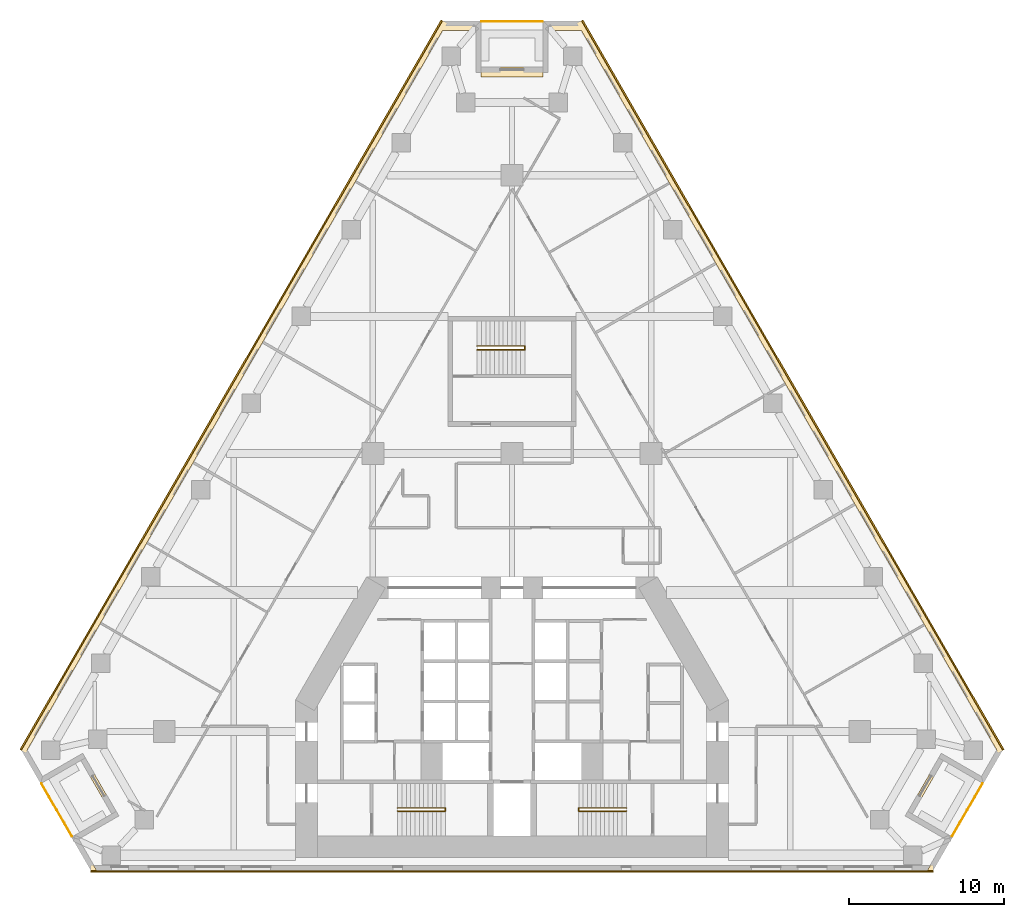
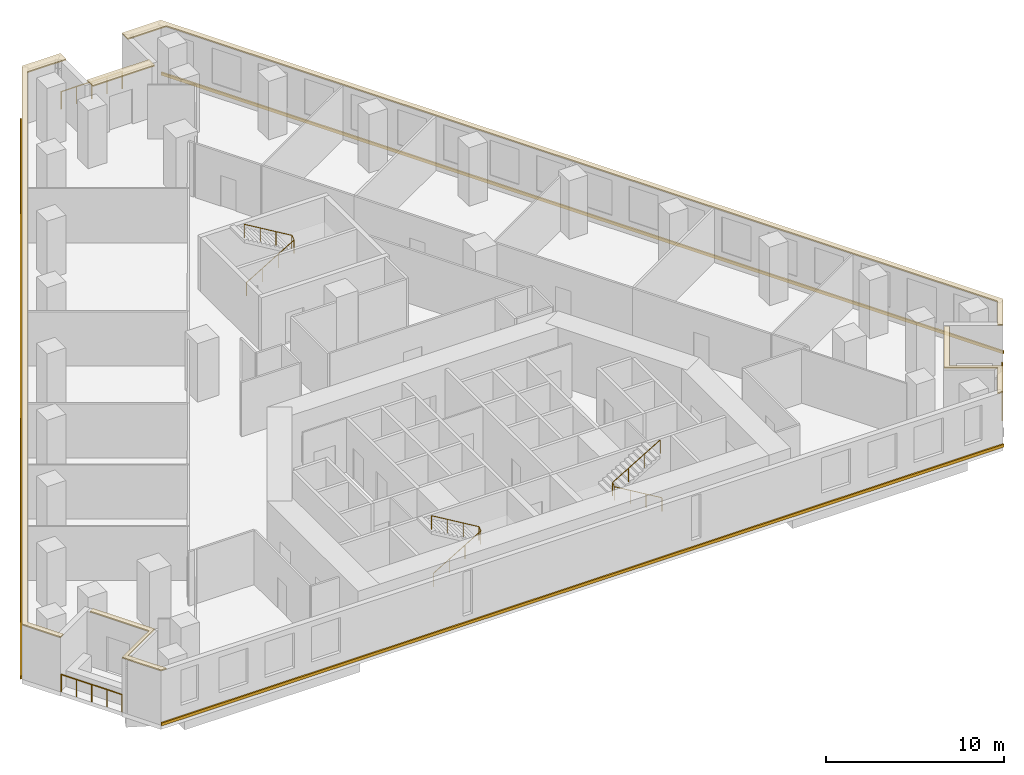
# One storey, part 11 of 11: 8 coverings, 6 railings.
"""IFC4 building model written with IfcOpenShell, lengths in metres."""

from ifc_helpers import new_model, si_unit, direction, frame, origin, origin_2d, place, context, subcontext, project, spatial, polyline, circle, outline, extrude, material, layer, layer_set, type_object, element, save


model = new_model("IFC4")

# Units and contexts
model_context = context("Model", 3, precision=1e-05, world=origin(), true_north=direction((0.0, 1.0)))
body_context = subcontext(model_context, "Body", "Model", "MODEL_VIEW")
ifc_project = project(units=[si_unit("LENGTHUNIT", "METRE"), si_unit("AREAUNIT", "SQUARE_METRE"), si_unit("VOLUMEUNIT", "CUBIC_METRE"), si_unit("PLANEANGLEUNIT", "RADIAN"), si_unit("MASSUNIT", "GRAM", prefix="KILO")], contexts=[model_context])

# Site, building, storey
site_placement = place(None, origin())
site = spatial("IfcSite", under=ifc_project, at=site_placement, CompositionType="ELEMENT")
building_placement = place(site_placement, origin())
building = spatial("IfcBuilding", under=site, at=building_placement, Name="Fogline Exchange Tower", CompositionType="ELEMENT")
storey_placement = place(building_placement, frame((0.0, 0.0, 60.89990234375)))
storey = spatial("IfcBuildingStorey", under=building, at=storey_placement, Name="L12", CompositionType="ELEMENT", Elevation=60.89990234375)

# Coverings
ifc_material_1 = material(Name="Granite", Category="masonry")
ifc_layer = layer(ifc_material_1, 0.080078125)
ifc_layer_set = layer_set([ifc_layer], Name="CP1")
covering_type_1 = type_object("IfcCoveringType", Name="CP1", PredefinedType="USERDEFINED", material=ifc_layer_set)
covering_1_placement = place(storey_placement, frame((0.0, 0.0, 3.7001953125)))
element("IfcCovering", 1, at=covering_1_placement, inside=storey, type_object=covering_type_1, Name="Ledge coping L12", ObjectType="COPING", PredefinedType="USERDEFINED", context=body_context, shape_type="SweptSolid", body=[
    extrude(outline(polyline([(-30.505126953125, 5.629150390625), (-30.225830078125, 5.790283203125), (-31.3828125, 7.794189453125), (-4.5, 54.356689453125), (-2.0, 54.356689453125), (-2.0, 55.001708984375), (-4.5, 55.001708984375), (-31.755126953125, 7.794189453125), (-30.505126953125, 5.629150390625)])), origin(), (0.0, 0.0, 1.0), 0.079833984375),
])
covering_2_placement = place(storey_placement, frame((0.0, 0.0, 3.7001953125)))
element("IfcCovering", 2, at=covering_2_placement, inside=storey, type_object=covering_type_1, Name="Ledge coping L12", ObjectType="COPING", PredefinedType="USERDEFINED", context=body_context, shape_type="SweptSolid", body=[
    extrude(outline(polyline([(-27.255126953125, 0.0), (-26.8828125, 0.0), (-28.1328125, 2.1650390625), (-25.534912109375, 3.6650390625), (-27.534912109375, 7.129150390625), (-27.81396484375, 6.968017578125), (-25.906982421875, 3.6650390625), (-28.505126953125, 2.1650390625), (-27.255126953125, 0.0)])), origin(), (0.0, 0.0, 1.0), 0.079833984375),
])
covering_3_placement = place(storey_placement, frame((0.0, 0.0, 3.7001953125)))
element("IfcCovering", 3, at=covering_3_placement, inside=storey, type_object=covering_type_1, Name="Ledge coping L12", ObjectType="COPING", PredefinedType="USERDEFINED", context=body_context, shape_type="SweptSolid", body=[
    extrude(outline(polyline([(25.906982421875, 3.6650390625), (27.81396484375, 6.968017578125), (27.534912109375, 7.129150390625), (25.534912109375, 3.6650390625), (28.1328125, 2.1650390625), (26.8828125, 0.0), (27.255126953125, 0.0), (28.505126953125, 2.1650390625), (25.906982421875, 3.6650390625)])), origin(), (0.0, 0.0, 1.0), 0.079833984375),
])
covering_4_placement = place(storey_placement, frame((0.0, 0.0, 3.7001953125)))
element("IfcCovering", 4, at=covering_4_placement, inside=storey, type_object=covering_type_1, Name="Ledge coping L12", ObjectType="COPING", PredefinedType="USERDEFINED", context=body_context, shape_type="SweptSolid", body=[
    extrude(outline(polyline([(2.0, 55.001708984375), (2.0, 54.356689453125), (4.5, 54.356689453125), (31.3828125, 7.794189453125), (30.225830078125, 5.790283203125), (30.505126953125, 5.629150390625), (31.755126953125, 7.794189453125), (4.5, 55.001708984375), (2.0, 55.001708984375)])), origin(), (0.0, 0.0, 1.0), 0.079833984375),
])
covering_5_placement = place(storey_placement, frame((0.0, 0.0, 3.7001953125)))
element("IfcCovering", 5, at=covering_5_placement, inside=storey, type_object=covering_type_1, Name="Ledge coping L12", ObjectType="COPING", PredefinedType="USERDEFINED", context=body_context, shape_type="SweptSolid", body=[
    extrude(outline(polyline([(2.0, 52.001708984375), (-2.0, 52.001708984375), (-2.0, 51.356689453125), (2.0, 51.356689453125), (2.0, 52.001708984375)])), origin(), (0.0, 0.0, 1.0), 0.079833984375),
])

# Railings
ifc_material_2 = material(Name="Stainless steel 304", Category="steel")
railing_type_1 = type_object("IfcRailingType", Name="G1", PredefinedType="GUARDRAIL", material=ifc_material_2)
railing_1_placement = place(storey_placement, frame((-30.451416015625, 5.635986328125, 0.0)))
element("IfcRailing", 6, at=railing_1_placement, inside=storey, type_object=railing_type_1, Name="Balcony guard L12 SW", PredefinedType="GUARDRAIL", context=body_context, shape_type="SweptSolid", body=[
    extrude(circle(Radius=0.02392578125, at=origin_2d()), frame((0.0, 0.0, 1.17578125), z_axis=(0.500000102728, -0.866025344474, 0.0), x_axis=(0.866025344474, 0.500000102728, 0.0)), (0.0, 0.0, 1.0), 3.9580078125),
    extrude(circle(Radius=0.02099609375, at=origin_2d()), origin(), (0.0, 0.0, 1.0), 1.15185546875),
    extrude(circle(Radius=0.02099609375, at=origin_2d()), frame((0.49462890625, -0.85693359375, 0.0)), (0.0, 0.0, 1.0), 1.15185546875),
    extrude(circle(Radius=0.02099609375, at=origin_2d()), frame((0.989501953125, -1.7138671875, 0.0)), (0.0, 0.0, 1.0), 1.15185546875),
    extrude(circle(Radius=0.02099609375, at=origin_2d()), frame((1.484375, -2.57080078125, 0.0)), (0.0, 0.0, 1.0), 1.15185546875),
    extrude(circle(Radius=0.02099609375, at=origin_2d()), frame((1.97900390625, -3.427734375, 0.0)), (0.0, 0.0, 1.0), 1.15185546875),
])
railing_2_placement = place(storey_placement, frame((28.472412109375, 2.208251953125, 0.0)))
element("IfcRailing", 7, at=railing_2_placement, inside=storey, type_object=railing_type_1, Name="Balcony guard L12 SE", PredefinedType="GUARDRAIL", context=body_context, shape_type="SweptSolid", body=[
    extrude(circle(Radius=0.02392578125, at=origin_2d()), frame((0.0, 0.0, 1.17578125), z_axis=(0.500000102728, 0.866025344474, 0.0), x_axis=(-0.866025344474, 0.500000102728, 0.0)), (0.0, 0.0, 1.0), 3.9580078125),
    extrude(circle(Radius=0.02099609375, at=origin_2d()), origin(), (0.0, 0.0, 1.0), 1.15185546875),
    extrude(circle(Radius=0.02099609375, at=origin_2d()), frame((0.49462890625, 0.85693359375, 0.0)), (0.0, 0.0, 1.0), 1.15185546875),
    extrude(circle(Radius=0.02099609375, at=origin_2d()), frame((0.989501953125, 1.7138671875, 0.0)), (0.0, 0.0, 1.0), 1.15185546875),
    extrude(circle(Radius=0.02099609375, at=origin_2d()), frame((1.484375, 2.57080078125, 0.0)), (0.0, 0.0, 1.0), 1.15185546875),
    extrude(circle(Radius=0.02099609375, at=origin_2d()), frame((1.97900390625, 3.427734375, 0.0)), (0.0, 0.0, 1.0), 1.15185546875),
])
railing_3_placement = place(storey_placement, frame((1.97900390625, 54.95166015625, 0.0)))
element("IfcRailing", 8, at=railing_3_placement, inside=storey, type_object=railing_type_1, Name="Balcony guard L12 N", PredefinedType="GUARDRAIL", context=body_context, shape_type="SweptSolid", body=[
    extrude(circle(Radius=0.02392578125, at=origin_2d()), frame((0.0, 0.0, 1.17578125), z_axis=(-1.0, 0.0, 0.0), x_axis=(0.0, -1.0, 0.0)), (0.0, 0.0, 1.0), 3.9580078125),
    extrude(circle(Radius=0.02099609375, at=origin_2d()), origin(), (0.0, 0.0, 1.0), 1.15185546875),
    extrude(circle(Radius=0.02099609375, at=origin_2d()), frame((-0.989501953125, 0.0, 0.0)), (0.0, 0.0, 1.0), 1.15185546875),
    extrude(circle(Radius=0.02099609375, at=origin_2d()), frame((-1.97900390625, 0.0, 0.0)), (0.0, 0.0, 1.0), 1.15185546875),
    extrude(circle(Radius=0.02099609375, at=origin_2d()), frame((-2.968505859375, 0.0, 0.0)), (0.0, 0.0, 1.0), 1.15185546875),
    extrude(circle(Radius=0.02099609375, at=origin_2d()), frame((-3.9580078125, 0.0, 0.0)), (0.0, 0.0, 1.0), 1.15185546875),
])
ifc_material_3 = material(Name="Steel Q235B", Category="steel")
railing_type_2 = type_object("IfcRailingType", Name="RL-HR", PredefinedType="HANDRAIL", material=ifc_material_3)
railing_4_placement = place(storey_placement, frame((-7.39990234375, 3.85009765625, 0.166748046875)))
element("IfcRailing", 9, at=railing_4_placement, inside=storey, type_object=railing_type_2, Name="Handrail ST1", PredefinedType="HANDRAIL", context=body_context, shape_type="SweptSolid", body=[
    extrude(circle(Radius=0.02392578125, at=origin_2d()), frame((0.0, 0.0, 0.92578125), z_axis=(0.859290745958, 0.0, 0.51148745235), x_axis=(0.0, 1.0, 0.0)), (0.0, 0.0, 1.0), 3.584228515625),
    extrude(circle(Radius=0.02392578125, at=origin_2d()), frame((3.079833984375, 0.0, 2.75927734375), z_axis=(0.0, 0.767990643491, 0.640461061666), x_axis=(-1.0, 0.0, 0.0)), (0.0, 0.0, 1.0), 0.26025390625),
    extrude(circle(Radius=0.02392578125, at=origin_2d()), frame((3.079833984375, 0.199951171875, 2.92578125), z_axis=(-0.859290745958, 0.0, 0.51148745235), x_axis=(0.0, -1.0, 0.0)), (0.0, 0.0, 1.0), 3.584228515625),
    extrude(circle(Radius=0.02099609375, at=origin_2d()), origin(), (0.0, 0.0, 1.0), 0.90185546875),
    extrude(circle(Radius=0.02099609375, at=origin_2d()), frame((1.026611328125, 0.0, 0.611083984375)), (0.0, 0.0, 1.0), 0.90185546875),
    extrude(circle(Radius=0.02099609375, at=origin_2d()), frame((2.05322265625, 0.0, 1.22216796875)), (0.0, 0.0, 1.0), 0.90185546875),
    extrude(circle(Radius=0.02099609375, at=origin_2d()), frame((3.079833984375, 0.0, 1.833251953125)), (0.0, 0.0, 1.0), 0.90185546875),
    extrude(circle(Radius=0.02099609375, at=origin_2d()), frame((3.079833984375, 0.199951171875, 2.0)), (0.0, 0.0, 1.0), 0.90185546875),
    extrude(circle(Radius=0.02099609375, at=origin_2d()), frame((2.05322265625, 0.199951171875, 2.611083984375)), (0.0, 0.0, 1.0), 0.90185546875),
    extrude(circle(Radius=0.02099609375, at=origin_2d()), frame((1.026611328125, 0.199951171875, 3.22216796875)), (0.0, 0.0, 1.0), 0.90185546875),
    extrude(circle(Radius=0.02099609375, at=origin_2d()), frame((0.0, 0.199951171875, 3.833251953125)), (0.0, 0.0, 1.0), 0.90185546875),
])
railing_5_placement = place(storey_placement, frame((7.39990234375, 3.85009765625, 0.166748046875)))
element("IfcRailing", 10, at=railing_5_placement, inside=storey, type_object=railing_type_2, Name="Handrail ST2", PredefinedType="HANDRAIL", context=body_context, shape_type="SweptSolid", body=[
    extrude(circle(Radius=0.02392578125, at=origin_2d()), frame((0.0, 0.0, 0.92578125), z_axis=(-0.859290745958, 0.0, 0.51148745235), x_axis=(0.0, -1.0, 0.0)), (0.0, 0.0, 1.0), 3.584228515625),
    extrude(circle(Radius=0.02392578125, at=origin_2d()), frame((-3.079833984375, 0.0, 2.75927734375), z_axis=(0.0, 0.767990643491, 0.640461061666), x_axis=(-1.0, 0.0, 0.0)), (0.0, 0.0, 1.0), 0.26025390625),
    extrude(circle(Radius=0.02392578125, at=origin_2d()), frame((-3.079833984375, 0.199951171875, 2.92578125), z_axis=(0.859290745958, 0.0, 0.51148745235), x_axis=(0.0, 1.0, 0.0)), (0.0, 0.0, 1.0), 3.584228515625),
    extrude(circle(Radius=0.02099609375, at=origin_2d()), origin(), (0.0, 0.0, 1.0), 0.90185546875),
    extrude(circle(Radius=0.02099609375, at=origin_2d()), frame((-1.026611328125, 0.0, 0.611083984375)), (0.0, 0.0, 1.0), 0.90185546875),
    extrude(circle(Radius=0.02099609375, at=origin_2d()), frame((-2.05322265625, 0.0, 1.22216796875)), (0.0, 0.0, 1.0), 0.90185546875),
    extrude(circle(Radius=0.02099609375, at=origin_2d()), frame((-3.079833984375, 0.0, 1.833251953125)), (0.0, 0.0, 1.0), 0.90185546875),
    extrude(circle(Radius=0.02099609375, at=origin_2d()), frame((-3.079833984375, 0.199951171875, 2.0)), (0.0, 0.0, 1.0), 0.90185546875),
    extrude(circle(Radius=0.02099609375, at=origin_2d()), frame((-2.05322265625, 0.199951171875, 2.611083984375)), (0.0, 0.0, 1.0), 0.90185546875),
    extrude(circle(Radius=0.02099609375, at=origin_2d()), frame((-1.026611328125, 0.199951171875, 3.22216796875)), (0.0, 0.0, 1.0), 0.90185546875),
    extrude(circle(Radius=0.02099609375, at=origin_2d()), frame((0.0, 0.199951171875, 3.833251953125)), (0.0, 0.0, 1.0), 0.90185546875),
])
railing_6_placement = place(storey_placement, frame((-2.25, 33.70703125, 0.166748046875)))
element("IfcRailing", 11, at=railing_6_placement, inside=storey, type_object=railing_type_2, Name="Handrail ST3", PredefinedType="HANDRAIL", context=body_context, shape_type="SweptSolid", body=[
    extrude(circle(Radius=0.02392578125, at=origin_2d()), frame((0.0, 0.0, 0.92578125), z_axis=(0.859308565015, 0.0, 0.511457515432), x_axis=(0.0, 1.0, 0.0)), (0.0, 0.0, 1.0), 3.58447265625),
    extrude(circle(Radius=0.02392578125, at=origin_2d()), frame((3.080078125, 0.0, 2.75927734375), z_axis=(0.0, 0.831925284441, 0.554887665306), x_axis=(-1.0, 0.0, 0.0)), (0.0, 0.0, 1.0), 0.300537109375),
    extrude(circle(Radius=0.02392578125, at=origin_2d()), frame((3.080078125, 0.25, 2.92578125), z_axis=(-0.859308565015, 0.0, 0.511457515432), x_axis=(0.0, -1.0, 0.0)), (0.0, 0.0, 1.0), 3.58447265625),
    extrude(circle(Radius=0.02099609375, at=origin_2d()), origin(), (0.0, 0.0, 1.0), 0.90185546875),
    extrude(circle(Radius=0.02099609375, at=origin_2d()), frame((1.026611328125, 0.0, 0.611083984375)), (0.0, 0.0, 1.0), 0.90185546875),
    extrude(circle(Radius=0.02099609375, at=origin_2d()), frame((2.053466796875, 0.0, 1.22216796875)), (0.0, 0.0, 1.0), 0.90185546875),
    extrude(circle(Radius=0.02099609375, at=origin_2d()), frame((3.080078125, 0.0, 1.833251953125)), (0.0, 0.0, 1.0), 0.90185546875),
    extrude(circle(Radius=0.02099609375, at=origin_2d()), frame((3.080078125, 0.25, 2.0)), (0.0, 0.0, 1.0), 0.90185546875),
    extrude(circle(Radius=0.02099609375, at=origin_2d()), frame((2.053466796875, 0.25, 2.611083984375)), (0.0, 0.0, 1.0), 0.90185546875),
    extrude(circle(Radius=0.02099609375, at=origin_2d()), frame((1.026611328125, 0.25, 3.22216796875)), (0.0, 0.0, 1.0), 0.90185546875),
    extrude(circle(Radius=0.02099609375, at=origin_2d()), frame((0.0, 0.25, 3.833251953125)), (0.0, 0.0, 1.0), 0.90185546875),
])

# Coverings
ifc_material_4 = material(Name="Brick masonry", Category="masonry")
covering_type_2 = type_object("IfcCoveringType", Name="SB1", PredefinedType="CLADDING", material=ifc_material_4)
covering_6_placement = place(storey_placement, origin())
element("IfcCovering", 12, at=covering_6_placement, inside=storey, type_object=covering_type_2, Name="Stringcourse band L12 S", PredefinedType="CLADDING", context=body_context, shape_type="SweptSolid", body=[
    extrude(outline(polyline([(-27.255126953125, 0.0), (-27.255126953125, -0.10009765625), (27.255126953125, -0.10009765625), (27.255126953125, 0.0), (-27.255126953125, 0.0)])), origin(), (0.0, 0.0, 1.0), 0.2001953125),
])
covering_7_placement = place(storey_placement, origin())
element("IfcCovering", 13, at=covering_7_placement, inside=storey, type_object=covering_type_2, Name="Stringcourse band L12 E", PredefinedType="CLADDING", context=body_context, shape_type="SweptSolid", body=[
    extrude(outline(polyline([(31.755126953125, 7.794189453125), (31.841796875, 7.84423828125), (4.586669921875, 55.0517578125), (4.5, 55.001708984375), (31.755126953125, 7.794189453125)])), origin(), (0.0, 0.0, 1.0), 0.2001953125),
])
covering_8_placement = place(storey_placement, origin())
element("IfcCovering", 14, at=covering_8_placement, inside=storey, type_object=covering_type_2, Name="Stringcourse band L12 W", PredefinedType="CLADDING", context=body_context, shape_type="SweptSolid", body=[
    extrude(outline(polyline([(-4.5, 55.001708984375), (-4.586669921875, 55.0517578125), (-31.841796875, 7.84423828125), (-31.755126953125, 7.794189453125), (-4.5, 55.001708984375)])), origin(), (0.0, 0.0, 1.0), 0.2001953125),
])

save(model, "model.ifc")
